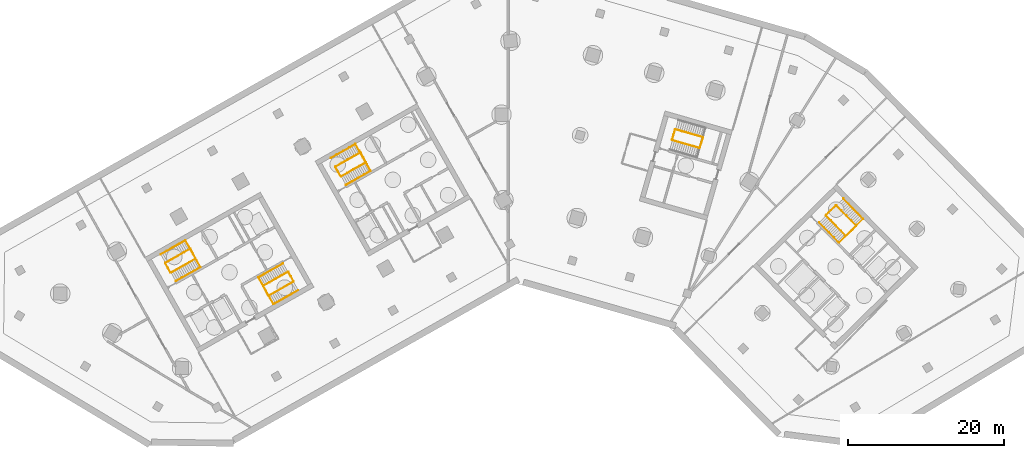
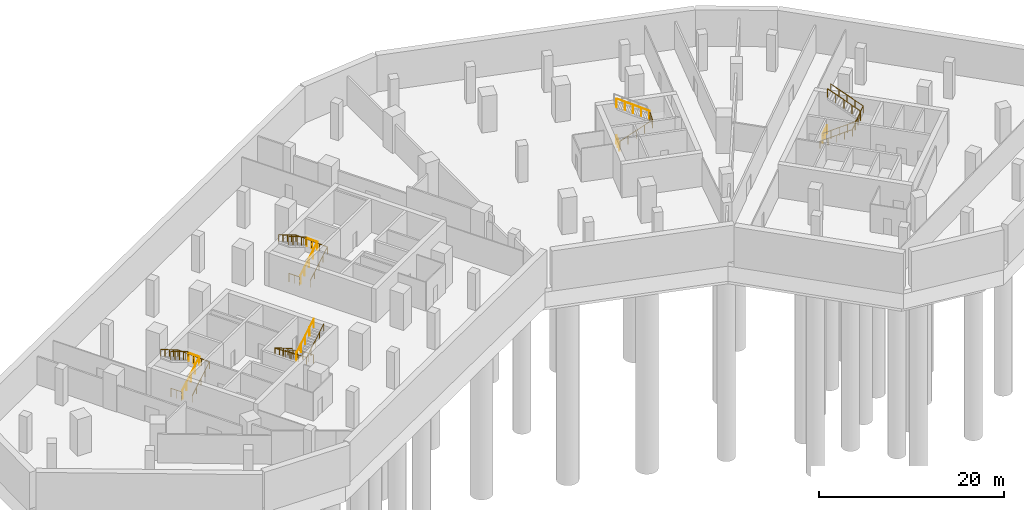
# One storey, part 9 of 11: 19 railings.
"""IFC4 building model written with IfcOpenShell, lengths in metres."""

from ifc_helpers import new_model, si_unit, direction, frame, origin, origin_2d, place, context, subcontext, project, spatial, circle, extrude, material, type_object, element, save


model = new_model("IFC4")

# Units and contexts
model_context = context("Model", 3, precision=1e-05, world=origin(), true_north=direction((0.0, 1.0)))
body_context = subcontext(model_context, "Body", "Model", "MODEL_VIEW")
ifc_project = project(units=[si_unit("LENGTHUNIT", "METRE"), si_unit("AREAUNIT", "SQUARE_METRE"), si_unit("VOLUMEUNIT", "CUBIC_METRE"), si_unit("PLANEANGLEUNIT", "RADIAN"), si_unit("MASSUNIT", "GRAM", prefix="KILO")], contexts=[model_context])

# Site, building, storey
site_placement = place(None, origin())
site = spatial("IfcSite", under=ifc_project, at=site_placement, CompositionType="ELEMENT")
building_placement = place(site_placement, origin())
building = spatial("IfcBuilding", under=site, at=building_placement, Name="Binnacle Exchange Tower", CompositionType="ELEMENT")
storey_placement = place(building_placement, frame((0.0, 0.0, -9.60009765625)))
storey = spatial("IfcBuildingStorey", under=building, at=storey_placement, Name="B2", CompositionType="ELEMENT", Elevation=-9.60009765625)

# Railings
ifc_material_1 = material(Name="Steel guard rail", Category="steel")
railing_type_1 = type_object("IfcRailingType", Name="STAIR GUARD 1100", PredefinedType="GUARDRAIL", material=ifc_material_1)
railing_1_placement = place(storey_placement, frame((-43.26171875, 39.71728515625, 0.171630859375)))
element("IfcRailing", 1, at=railing_1_placement, inside=storey, type_object=railing_type_1, Name="B2 STA1 stair guard 1", PredefinedType="GUARDRAIL", context=body_context, shape_type="SweptSolid", body=[
    extrude(circle(Radius=0.02392578125, at=origin_2d()), frame((0.0, 0.0, 1.076171875), z_axis=(0.742271515296, 0.419987474206, 0.522152773707), x_axis=(-0.492450612189, 0.870340390052, 0.0)), (0.0, 0.0, 1.0), 4.267822265625),
    extrude(circle(Radius=0.02392578125, at=origin_2d()), frame((3.16796875, 1.79248046875, 3.3046875), z_axis=(-0.460963092712, 0.887419307406, 0.0), x_axis=(-0.887419307406, -0.460963092712, 0.0)), (0.0, 0.0, 1.0), 1.40087890625),
    extrude(circle(Radius=0.02099609375, at=origin_2d()), origin(), (0.0, 0.0, 1.0), 1.052001953125),
    extrude(circle(Radius=0.02099609375, at=origin_2d()), frame((0.7919921875, 0.4482421875, 0.55712890625)), (0.0, 0.0, 1.0), 1.052001953125),
    extrude(circle(Radius=0.02099609375, at=origin_2d()), frame((1.583984375, 0.896240234375, 1.1142578125)), (0.0, 0.0, 1.0), 1.052001953125),
    extrude(circle(Radius=0.02099609375, at=origin_2d()), frame((2.3759765625, 1.34423828125, 1.67138671875)), (0.0, 0.0, 1.0), 1.052001953125),
    extrude(circle(Radius=0.02099609375, at=origin_2d()), frame((3.16796875, 1.79248046875, 2.228515625)), (0.0, 0.0, 1.0), 1.052001953125),
    extrude(circle(Radius=0.02099609375, at=origin_2d()), frame((2.84521484375, 2.4140625, 2.228515625)), (0.0, 0.0, 1.0), 1.052001953125),
    extrude(circle(Radius=0.02099609375, at=origin_2d()), frame((2.522216796875, 3.03564453125, 2.228515625)), (0.0, 0.0, 1.0), 1.052001953125),
])
railing_2_placement = place(storey_placement, frame((-40.8076171875, 42.771728515625, 2.571533203125)))
element("IfcRailing", 2, at=railing_2_placement, inside=storey, type_object=railing_type_1, Name="B2 STA1 stair guard 2", PredefinedType="GUARDRAIL", context=body_context, shape_type="SweptSolid", body=[
    extrude(circle(Radius=0.02392578125, at=origin_2d()), frame((0.0, 0.0, 1.076171875), z_axis=(-0.742297199881, -0.419969641791, 0.522130603415), x_axis=(0.492421866095, -0.870356654361, 0.0)), (0.0, 0.0, 1.0), 4.26806640625),
    extrude(circle(Radius=0.02099609375, at=origin_2d()), origin(), (0.0, 0.0, 1.0), 1.052001953125),
    extrude(circle(Radius=0.02099609375, at=origin_2d()), frame((-0.7919921875, -0.4482421875, 0.55712890625)), (0.0, 0.0, 1.0), 1.052001953125),
    extrude(circle(Radius=0.02099609375, at=origin_2d()), frame((-1.583984375, -0.896240234375, 1.1142578125)), (0.0, 0.0, 1.0), 1.052001953125),
    extrude(circle(Radius=0.02099609375, at=origin_2d()), frame((-2.376220703125, -1.34423828125, 1.67138671875)), (0.0, 0.0, 1.0), 1.052001953125),
    extrude(circle(Radius=0.02099609375, at=origin_2d()), frame((-3.168212890625, -1.79248046875, 2.228515625)), (0.0, 0.0, 1.0), 1.052001953125),
])
railing_3_placement = place(storey_placement, frame((-43.329833984375, 39.736328125, 0.0)))
element("IfcRailing", 3, at=railing_3_placement, inside=storey, type_object=railing_type_1, Name="B2 STA1 stair guard 3", PredefinedType="GUARDRAIL", context=body_context, shape_type="SweptSolid", body=[
    extrude(circle(Radius=0.02392578125, at=origin_2d()), frame((0.0, 0.0, 1.076171875), z_axis=(-0.4924922531, 0.870316827734, 0.0), x_axis=(-0.870316827734, -0.4924922531, 0.0)), (0.0, 0.0, 1.0), 1.349853515625),
    extrude(circle(Radius=0.02099609375, at=origin_2d()), origin(), (0.0, 0.0, 1.0), 1.052001953125),
    extrude(circle(Radius=0.02099609375, at=origin_2d()), frame((-0.33251953125, 0.58740234375, 0.0)), (0.0, 0.0, 1.0), 1.052001953125),
    extrude(circle(Radius=0.02099609375, at=origin_2d()), frame((-0.664794921875, 1.1748046875, 0.0)), (0.0, 0.0, 1.0), 1.052001953125),
])
railing_4_placement = place(storey_placement, frame((-28.265380859375, 39.814453125, 0.171630859375)))
element("IfcRailing", 4, at=railing_4_placement, inside=storey, type_object=railing_type_1, Name="B2 STA2 stair guard 1", PredefinedType="GUARDRAIL", context=body_context, shape_type="SweptSolid", body=[
    extrude(circle(Radius=0.02392578125, at=origin_2d()), frame((0.0, 0.0, 1.076171875), z_axis=(-0.742297199881, -0.419969641791, 0.522130603415), x_axis=(0.492421866095, -0.870356654361, 0.0)), (0.0, 0.0, 1.0), 4.26806640625),
    extrude(circle(Radius=0.02392578125, at=origin_2d()), frame((-3.168212890625, -1.79248046875, 3.3046875), z_axis=(0.461100321709, -0.887348011391, 0.0), x_axis=(0.887348011391, 0.461100321709, 0.0)), (0.0, 0.0, 1.0), 1.40087890625),
    extrude(circle(Radius=0.02099609375, at=origin_2d()), origin(), (0.0, 0.0, 1.0), 1.052001953125),
    extrude(circle(Radius=0.02099609375, at=origin_2d()), frame((-0.7919921875, -0.4482421875, 0.55712890625)), (0.0, 0.0, 1.0), 1.052001953125),
    extrude(circle(Radius=0.02099609375, at=origin_2d()), frame((-1.583984375, -0.896240234375, 1.1142578125)), (0.0, 0.0, 1.0), 1.052001953125),
    extrude(circle(Radius=0.02099609375, at=origin_2d()), frame((-2.376220703125, -1.34423828125, 1.67138671875)), (0.0, 0.0, 1.0), 1.052001953125),
    extrude(circle(Radius=0.02099609375, at=origin_2d()), frame((-3.168212890625, -1.79248046875, 2.228515625)), (0.0, 0.0, 1.0), 1.052001953125),
    extrude(circle(Radius=0.02099609375, at=origin_2d()), frame((-2.84521484375, -2.4140625, 2.228515625)), (0.0, 0.0, 1.0), 1.052001953125),
    extrude(circle(Radius=0.02099609375, at=origin_2d()), frame((-2.522216796875, -3.03564453125, 2.228515625)), (0.0, 0.0, 1.0), 1.052001953125),
])
railing_5_placement = place(storey_placement, frame((-30.719482421875, 36.760009765625, 2.571533203125)))
element("IfcRailing", 5, at=railing_5_placement, inside=storey, type_object=railing_type_1, Name="B2 STA2 stair guard 2", PredefinedType="GUARDRAIL", context=body_context, shape_type="SweptSolid", body=[
    extrude(circle(Radius=0.02392578125, at=origin_2d()), frame((0.0, 0.0, 1.076171875), z_axis=(0.742271515296, 0.419987474206, 0.522152773707), x_axis=(-0.492450612189, 0.870340390052, 0.0)), (0.0, 0.0, 1.0), 4.267822265625),
    extrude(circle(Radius=0.02099609375, at=origin_2d()), origin(), (0.0, 0.0, 1.0), 1.052001953125),
    extrude(circle(Radius=0.02099609375, at=origin_2d()), frame((0.7919921875, 0.4482421875, 0.55712890625)), (0.0, 0.0, 1.0), 1.052001953125),
    extrude(circle(Radius=0.02099609375, at=origin_2d()), frame((1.583984375, 0.896240234375, 1.1142578125)), (0.0, 0.0, 1.0), 1.052001953125),
    extrude(circle(Radius=0.02099609375, at=origin_2d()), frame((2.3759765625, 1.34423828125, 1.67138671875)), (0.0, 0.0, 1.0), 1.052001953125),
    extrude(circle(Radius=0.02099609375, at=origin_2d()), frame((3.16796875, 1.79248046875, 2.228515625)), (0.0, 0.0, 1.0), 1.052001953125),
])
railing_6_placement = place(storey_placement, frame((-28.197265625, 39.795654296875, 0.0)))
element("IfcRailing", 6, at=railing_6_placement, inside=storey, type_object=railing_type_1, Name="B2 STA2 stair guard 3", PredefinedType="GUARDRAIL", context=body_context, shape_type="SweptSolid", body=[
    extrude(circle(Radius=0.02392578125, at=origin_2d()), frame((0.0, 0.0, 1.076171875), z_axis=(0.49241474071, -0.870360685654, 0.0), x_axis=(0.870360685654, 0.49241474071, 0.0)), (0.0, 0.0, 1.0), 1.35009765625),
    extrude(circle(Radius=0.02099609375, at=origin_2d()), origin(), (0.0, 0.0, 1.0), 1.052001953125),
    extrude(circle(Radius=0.02099609375, at=origin_2d()), frame((0.33251953125, -0.58740234375, 0.0)), (0.0, 0.0, 1.0), 1.052001953125),
    extrude(circle(Radius=0.02099609375, at=origin_2d()), frame((0.664794921875, -1.175048828125, 0.0)), (0.0, 0.0, 1.0), 1.052001953125),
])
railing_7_placement = place(storey_placement, frame((40.822509765625, 47.046875, 0.171630859375)))
element("IfcRailing", 7, at=railing_7_placement, inside=storey, type_object=railing_type_1, Name="B2 STB1 stair guard 1", PredefinedType="GUARDRAIL", context=body_context, shape_type="SweptSolid", body=[
    extrude(circle(Radius=0.02392578125, at=origin_2d()), frame((0.0, 0.0, 1.076171875), z_axis=(0.597772836652, -0.608298214828, 0.52215028258), x_axis=(0.713250539553, 0.700909172309, 0.0)), (0.0, 0.0, 1.0), 4.26806640625),
    extrude(circle(Radius=0.02392578125, at=origin_2d()), frame((2.55126953125, -2.59619140625, 3.3046875), z_axis=(0.732527851538, 0.680737061369, 0.0), x_axis=(-0.680737061369, 0.732527851538, 0.0)), (0.0, 0.0, 1.0), 1.80078125),
    extrude(circle(Radius=0.02099609375, at=origin_2d()), origin(), (0.0, 0.0, 1.0), 1.052001953125),
    extrude(circle(Radius=0.02099609375, at=origin_2d()), frame((0.6376953125, -0.64892578125, 0.55712890625)), (0.0, 0.0, 1.0), 1.052001953125),
    extrude(circle(Radius=0.02099609375, at=origin_2d()), frame((1.275634765625, -1.298095703125, 1.1142578125)), (0.0, 0.0, 1.0), 1.052001953125),
    extrude(circle(Radius=0.02099609375, at=origin_2d()), frame((1.91357421875, -1.947265625, 1.67138671875)), (0.0, 0.0, 1.0), 1.052001953125),
    extrude(circle(Radius=0.02099609375, at=origin_2d()), frame((2.55126953125, -2.59619140625, 2.228515625)), (0.0, 0.0, 1.0), 1.052001953125),
    extrude(circle(Radius=0.02099609375, at=origin_2d()), frame((3.2109375, -1.9833984375, 2.228515625)), (0.0, 0.0, 1.0), 1.052001953125),
    extrude(circle(Radius=0.02099609375, at=origin_2d()), frame((3.870361328125, -1.370361328125, 2.228515625)), (0.0, 0.0, 1.0), 1.052001953125),
])
railing_8_placement = place(storey_placement, frame((44.693359375, 45.747314453125, 2.571533203125)))
element("IfcRailing", 8, at=railing_8_placement, inside=storey, type_object=railing_type_1, Name="B2 STB1 stair guard 2", PredefinedType="GUARDRAIL", context=body_context, shape_type="SweptSolid", body=[
    extrude(circle(Radius=0.02392578125, at=origin_2d()), frame((0.0, 0.0, 1.076171875), z_axis=(-0.597772836652, 0.608298214828, 0.52215028258), x_axis=(-0.713250539553, -0.700909172309, 0.0)), (0.0, 0.0, 1.0), 4.26806640625),
    extrude(circle(Radius=0.02099609375, at=origin_2d()), origin(), (0.0, 0.0, 1.0), 1.052001953125),
    extrude(circle(Radius=0.02099609375, at=origin_2d()), frame((-0.6376953125, 0.64892578125, 0.55712890625)), (0.0, 0.0, 1.0), 1.052001953125),
    extrude(circle(Radius=0.02099609375, at=origin_2d()), frame((-1.275634765625, 1.298095703125, 1.1142578125)), (0.0, 0.0, 1.0), 1.052001953125),
    extrude(circle(Radius=0.02099609375, at=origin_2d()), frame((-1.91357421875, 1.947265625, 1.67138671875)), (0.0, 0.0, 1.0), 1.052001953125),
    extrude(circle(Radius=0.02099609375, at=origin_2d()), frame((-2.55126953125, 2.59619140625, 2.228515625)), (0.0, 0.0, 1.0), 1.052001953125),
])
railing_9_placement = place(storey_placement, frame((40.8232421875, 47.117431640625, 0.0)))
element("IfcRailing", 9, at=railing_9_placement, inside=storey, type_object=railing_type_1, Name="B2 STB1 stair guard 3", PredefinedType="GUARDRAIL", context=body_context, shape_type="SweptSolid", body=[
    extrude(circle(Radius=0.02392578125, at=origin_2d()), frame((0.0, 0.0, 1.076171875), z_axis=(0.713218950569, 0.700941316052, 0.0), x_axis=(-0.700941316052, 0.713218950569, 0.0)), (0.0, 0.0, 1.0), 1.75),
    extrude(circle(Radius=0.02099609375, at=origin_2d()), origin(), (0.0, 0.0, 1.0), 1.052001953125),
    extrude(circle(Radius=0.02099609375, at=origin_2d()), frame((0.6240234375, 0.61328125, 0.0)), (0.0, 0.0, 1.0), 1.052001953125),
    extrude(circle(Radius=0.02099609375, at=origin_2d()), frame((1.248046875, 1.2265625, 0.0)), (0.0, 0.0, 1.0), 1.052001953125),
])
railing_10_placement = place(storey_placement, frame((-21.423828125, 52.07275390625, 0.171630859375)))
element("IfcRailing", 10, at=railing_10_placement, inside=storey, type_object=railing_type_1, Name="B2 STC1 stair guard 1", PredefinedType="GUARDRAIL", context=body_context, shape_type="SweptSolid", body=[
    extrude(circle(Radius=0.02392578125, at=origin_2d()), frame((0.0, 0.0, 1.076171875), z_axis=(0.742315031276, 0.419922527903, 0.522143145988), x_axis=(-0.492371057291, 0.870385398511, 0.0)), (0.0, 0.0, 1.0), 4.26806640625),
    extrude(circle(Radius=0.02392578125, at=origin_2d()), frame((3.168212890625, 1.792236328125, 3.3046875), z_axis=(-0.461100321709, 0.887348011391, 0.0), x_axis=(-0.887348011391, -0.461100321709, 0.0)), (0.0, 0.0, 1.0), 1.40087890625),
    extrude(circle(Radius=0.02099609375, at=origin_2d()), origin(), (0.0, 0.0, 1.0), 1.052001953125),
    extrude(circle(Radius=0.02099609375, at=origin_2d()), frame((0.7919921875, 0.447998046875, 0.55712890625)), (0.0, 0.0, 1.0), 1.052001953125),
    extrude(circle(Radius=0.02099609375, at=origin_2d()), frame((1.583984375, 0.89599609375, 1.1142578125)), (0.0, 0.0, 1.0), 1.052001953125),
    extrude(circle(Radius=0.02099609375, at=origin_2d()), frame((2.376220703125, 1.34423828125, 1.67138671875)), (0.0, 0.0, 1.0), 1.052001953125),
    extrude(circle(Radius=0.02099609375, at=origin_2d()), frame((3.168212890625, 1.792236328125, 2.228515625)), (0.0, 0.0, 1.0), 1.052001953125),
    extrude(circle(Radius=0.02099609375, at=origin_2d()), frame((2.84521484375, 2.413818359375, 2.228515625)), (0.0, 0.0, 1.0), 1.052001953125),
    extrude(circle(Radius=0.02099609375, at=origin_2d()), frame((2.522216796875, 3.035400390625, 2.228515625)), (0.0, 0.0, 1.0), 1.052001953125),
])
railing_11_placement = place(storey_placement, frame((-18.9697265625, 55.126953125, 2.571533203125)))
element("IfcRailing", 11, at=railing_11_placement, inside=storey, type_object=railing_type_1, Name="B2 STC1 stair guard 2", PredefinedType="GUARDRAIL", context=body_context, shape_type="SweptSolid", body=[
    extrude(circle(Radius=0.02392578125, at=origin_2d()), frame((0.0, 0.0, 1.076171875), z_axis=(-0.742289347588, -0.419940359174, 0.522165317878), x_axis=(0.492399802317, -0.870369137021, 0.0)), (0.0, 0.0, 1.0), 4.267822265625),
    extrude(circle(Radius=0.02099609375, at=origin_2d()), origin(), (0.0, 0.0, 1.0), 1.052001953125),
    extrude(circle(Radius=0.02099609375, at=origin_2d()), frame((-0.7919921875, -0.447998046875, 0.55712890625)), (0.0, 0.0, 1.0), 1.052001953125),
    extrude(circle(Radius=0.02099609375, at=origin_2d()), frame((-1.583984375, -0.89599609375, 1.1142578125)), (0.0, 0.0, 1.0), 1.052001953125),
    extrude(circle(Radius=0.02099609375, at=origin_2d()), frame((-2.3759765625, -1.34423828125, 1.67138671875)), (0.0, 0.0, 1.0), 1.052001953125),
    extrude(circle(Radius=0.02099609375, at=origin_2d()), frame((-3.16796875, -1.792236328125, 2.228515625)), (0.0, 0.0, 1.0), 1.052001953125),
])
railing_12_placement = place(storey_placement, frame((-21.491943359375, 52.091552734375, 0.0)))
element("IfcRailing", 12, at=railing_12_placement, inside=storey, type_object=railing_type_1, Name="B2 STC1 stair guard 3", PredefinedType="GUARDRAIL", context=body_context, shape_type="SweptSolid", body=[
    extrude(circle(Radius=0.02392578125, at=origin_2d()), frame((0.0, 0.0, 1.076171875), z_axis=(-0.49241474071, 0.870360685654, 0.0), x_axis=(-0.870360685654, -0.49241474071, 0.0)), (0.0, 0.0, 1.0), 1.35009765625),
    extrude(circle(Radius=0.02099609375, at=origin_2d()), origin(), (0.0, 0.0, 1.0), 1.052001953125),
    extrude(circle(Radius=0.02099609375, at=origin_2d()), frame((-0.33251953125, 0.58740234375, 0.0)), (0.0, 0.0, 1.0), 1.052001953125),
    extrude(circle(Radius=0.02099609375, at=origin_2d()), frame((-0.664794921875, 1.175048828125, 0.0)), (0.0, 0.0, 1.0), 1.052001953125),
])
railing_13_placement = place(storey_placement, frame((21.086669921875, 56.71044921875, 0.171630859375)))
element("IfcRailing", 13, at=railing_13_placement, inside=storey, type_object=railing_type_1, Name="B2 STD1 stair guard 1", PredefinedType="GUARDRAIL", context=body_context, shape_type="SweptSolid", body=[
    extrude(circle(Radius=0.02392578125, at=origin_2d()), frame((0.0, 0.0, 1.076171875), z_axis=(0.819816833951, -0.235099580487, 0.52213843569), x_axis=(0.275659984683, 0.961255206927, 0.0)), (0.0, 0.0, 1.0), 4.26806640625),
    extrude(circle(Radius=0.02392578125, at=origin_2d()), frame((3.4990234375, -1.00341796875, 3.3046875), z_axis=(0.309684985722, 0.950839213337, 0.0), x_axis=(-0.950839213337, 0.309684985722, 0.0)), (0.0, 0.0, 1.0), 1.40087890625),
    extrude(circle(Radius=0.02099609375, at=origin_2d()), origin(), (0.0, 0.0, 1.0), 1.052001953125),
    extrude(circle(Radius=0.02099609375, at=origin_2d()), frame((0.874755859375, -0.2509765625, 0.55712890625)), (0.0, 0.0, 1.0), 1.052001953125),
    extrude(circle(Radius=0.02099609375, at=origin_2d()), frame((1.74951171875, -0.501708984375, 1.1142578125)), (0.0, 0.0, 1.0), 1.052001953125),
    extrude(circle(Radius=0.02099609375, at=origin_2d()), frame((2.624267578125, -0.75244140625, 1.67138671875)), (0.0, 0.0, 1.0), 1.052001953125),
    extrude(circle(Radius=0.02099609375, at=origin_2d()), frame((3.4990234375, -1.00341796875, 2.228515625)), (0.0, 0.0, 1.0), 1.052001953125),
    extrude(circle(Radius=0.02099609375, at=origin_2d()), frame((3.7158203125, -0.33740234375, 2.228515625)), (0.0, 0.0, 1.0), 1.052001953125),
    extrude(circle(Radius=0.02099609375, at=origin_2d()), frame((3.932861328125, 0.32861328125, 2.228515625)), (0.0, 0.0, 1.0), 1.052001953125),
])
railing_14_placement = place(storey_placement, frame((24.9853515625, 57.100830078125, 2.571533203125)))
element("IfcRailing", 14, at=railing_14_placement, inside=storey, type_object=railing_type_1, Name="B2 STD1 stair guard 2", PredefinedType="GUARDRAIL", context=body_context, shape_type="SweptSolid", body=[
    extrude(circle(Radius=0.02392578125, at=origin_2d()), frame((0.0, 0.0, 1.076171875), z_axis=(-0.819816833951, 0.235099580487, 0.52213843569), x_axis=(-0.275659984683, -0.961255206927, 0.0)), (0.0, 0.0, 1.0), 4.26806640625),
    extrude(circle(Radius=0.02099609375, at=origin_2d()), origin(), (0.0, 0.0, 1.0), 1.052001953125),
    extrude(circle(Radius=0.02099609375, at=origin_2d()), frame((-0.874755859375, 0.2509765625, 0.55712890625)), (0.0, 0.0, 1.0), 1.052001953125),
    extrude(circle(Radius=0.02099609375, at=origin_2d()), frame((-1.74951171875, 0.501708984375, 1.1142578125)), (0.0, 0.0, 1.0), 1.052001953125),
    extrude(circle(Radius=0.02099609375, at=origin_2d()), frame((-2.624267578125, 0.75244140625, 1.67138671875)), (0.0, 0.0, 1.0), 1.052001953125),
    extrude(circle(Radius=0.02099609375, at=origin_2d()), frame((-3.4990234375, 1.00341796875, 2.228515625)), (0.0, 0.0, 1.0), 1.052001953125),
])
railing_15_placement = place(storey_placement, frame((21.05224609375, 56.772216796875, 0.0)))
element("IfcRailing", 15, at=railing_15_placement, inside=storey, type_object=railing_type_1, Name="B2 STD1 stair guard 3", PredefinedType="GUARDRAIL", context=body_context, shape_type="SweptSolid", body=[
    extrude(circle(Radius=0.02392578125, at=origin_2d()), frame((0.0, 0.0, 1.076171875), z_axis=(0.275795817769, 0.961216243569, 0.0), x_axis=(-0.961216243569, 0.275795817769, 0.0)), (0.0, 0.0, 1.0), 1.349853515625),
    extrude(circle(Radius=0.02099609375, at=origin_2d()), origin(), (0.0, 0.0, 1.0), 1.052001953125),
    extrude(circle(Radius=0.02099609375, at=origin_2d()), frame((0.18603515625, 0.64892578125, 0.0)), (0.0, 0.0, 1.0), 1.052001953125),
    extrude(circle(Radius=0.02099609375, at=origin_2d()), frame((0.372314453125, 1.297607421875, 0.0)), (0.0, 0.0, 1.0), 1.052001953125),
])
ifc_material_2 = material(Name="Steel handrail", Category="steel")
railing_type_2 = type_object("IfcRailingType", Name="STAIR HANDRAIL 900", PredefinedType="HANDRAIL", material=ifc_material_2)
railing_16_placement = place(storey_placement, frame((-42.646240234375, 38.62939453125, 0.171630859375)))
element("IfcRailing", 16, at=railing_16_placement, inside=storey, type_object=railing_type_2, Name="B2 STA1 stair handrail 1", PredefinedType="HANDRAIL", context=body_context, shape_type="SweptSolid", body=[
    extrude(circle(Radius=0.02392578125, at=origin_2d()), frame((0.0, 0.0, 0.8759765625), z_axis=(0.742297199881, 0.419969641791, 0.522130603415), x_axis=(-0.492421866095, 0.870356654361, 0.0)), (0.0, 0.0, 1.0), 4.26806640625),
    extrude(circle(Radius=0.02392578125, at=origin_2d()), frame((3.168212890625, 1.79248046875, 3.1044921875), z_axis=(-0.492023999439, 0.869501749008, 0.043348499951), x_axis=(-0.870319839224, -0.492486931251, 0.0)), (0.0, 0.0, 1.0), 3.95361328125),
    extrude(circle(Radius=0.02392578125, at=origin_2d()), frame((1.222900390625, 5.230224609375, 3.27587890625), z_axis=(-0.742289347588, -0.419940359174, 0.522165317878), x_axis=(0.492399802317, -0.870369137021, 0.0)), (0.0, 0.0, 1.0), 4.267822265625),
    extrude(circle(Radius=0.02099609375, at=origin_2d()), origin(), (0.0, 0.0, 1.0), 0.851806640625),
    extrude(circle(Radius=0.02099609375, at=origin_2d()), frame((0.7919921875, 0.4482421875, 0.55712890625)), (0.0, 0.0, 1.0), 0.851806640625),
    extrude(circle(Radius=0.02099609375, at=origin_2d()), frame((1.583984375, 0.896240234375, 1.1142578125)), (0.0, 0.0, 1.0), 0.851806640625),
    extrude(circle(Radius=0.02099609375, at=origin_2d()), frame((2.376220703125, 1.34423828125, 1.67138671875)), (0.0, 0.0, 1.0), 0.851806640625),
    extrude(circle(Radius=0.02099609375, at=origin_2d()), frame((3.168212890625, 1.79248046875, 2.228515625)), (0.0, 0.0, 1.0), 0.851806640625),
    extrude(circle(Radius=0.02099609375, at=origin_2d()), frame((2.681884765625, 2.65185546875, 2.271484375)), (0.0, 0.0, 1.0), 0.851806640625),
    extrude(circle(Radius=0.02099609375, at=origin_2d()), frame((2.195556640625, 3.51123046875, 2.314208984375)), (0.0, 0.0, 1.0), 0.851806640625),
    extrude(circle(Radius=0.02099609375, at=origin_2d()), frame((1.709228515625, 4.370849609375, 2.35693359375)), (0.0, 0.0, 1.0), 0.851806640625),
    extrude(circle(Radius=0.02099609375, at=origin_2d()), frame((1.222900390625, 5.230224609375, 2.39990234375)), (0.0, 0.0, 1.0), 0.851806640625),
    extrude(circle(Radius=0.02099609375, at=origin_2d()), frame((0.430908203125, 4.7822265625, 2.95703125)), (0.0, 0.0, 1.0), 0.851806640625),
    extrude(circle(Radius=0.02099609375, at=origin_2d()), frame((-0.361083984375, 4.333984375, 3.51416015625)), (0.0, 0.0, 1.0), 0.851806640625),
    extrude(circle(Radius=0.02099609375, at=origin_2d()), frame((-1.153076171875, 3.885986328125, 4.0712890625)), (0.0, 0.0, 1.0), 0.851806640625),
    extrude(circle(Radius=0.02099609375, at=origin_2d()), frame((-1.945068359375, 3.43798828125, 4.62841796875)), (0.0, 0.0, 1.0), 0.851806640625),
])
railing_17_placement = place(storey_placement, frame((-28.880859375, 40.90234375, 0.171630859375)))
element("IfcRailing", 17, at=railing_17_placement, inside=storey, type_object=railing_type_2, Name="B2 STA2 stair handrail 1", PredefinedType="HANDRAIL", context=body_context, shape_type="SweptSolid", body=[
    extrude(circle(Radius=0.02392578125, at=origin_2d()), frame((0.0, 0.0, 0.8759765625), z_axis=(-0.742315031276, -0.419922527903, 0.522143145988), x_axis=(0.492371057291, -0.870385398511, 0.0)), (0.0, 0.0, 1.0), 4.26806640625),
    extrude(circle(Radius=0.02392578125, at=origin_2d()), frame((-3.168212890625, -1.792236328125, 3.1044921875), z_axis=(0.491950780692, -0.869543227527, 0.0433474894), x_axis=(0.870361318571, 0.492413622004, 0.0)), (0.0, 0.0, 1.0), 3.953857421875),
    extrude(circle(Radius=0.02392578125, at=origin_2d()), frame((-1.22314453125, -5.230224609375, 3.27587890625), z_axis=(0.742297199881, 0.419969641791, 0.522130603415), x_axis=(-0.492421866095, 0.870356654361, 0.0)), (0.0, 0.0, 1.0), 4.26806640625),
    extrude(circle(Radius=0.02099609375, at=origin_2d()), origin(), (0.0, 0.0, 1.0), 0.851806640625),
    extrude(circle(Radius=0.02099609375, at=origin_2d()), frame((-0.7919921875, -0.447998046875, 0.55712890625)), (0.0, 0.0, 1.0), 0.851806640625),
    extrude(circle(Radius=0.02099609375, at=origin_2d()), frame((-1.583984375, -0.89599609375, 1.1142578125)), (0.0, 0.0, 1.0), 0.851806640625),
    extrude(circle(Radius=0.02099609375, at=origin_2d()), frame((-2.376220703125, -1.34423828125, 1.67138671875)), (0.0, 0.0, 1.0), 0.851806640625),
    extrude(circle(Radius=0.02099609375, at=origin_2d()), frame((-3.168212890625, -1.792236328125, 2.228515625)), (0.0, 0.0, 1.0), 0.851806640625),
    extrude(circle(Radius=0.02099609375, at=origin_2d()), frame((-2.681884765625, -2.65185546875, 2.271484375)), (0.0, 0.0, 1.0), 0.851806640625),
    extrude(circle(Radius=0.02099609375, at=origin_2d()), frame((-2.19580078125, -3.51123046875, 2.314208984375)), (0.0, 0.0, 1.0), 0.851806640625),
    extrude(circle(Radius=0.02099609375, at=origin_2d()), frame((-1.70947265625, -4.37060546875, 2.35693359375)), (0.0, 0.0, 1.0), 0.851806640625),
    extrude(circle(Radius=0.02099609375, at=origin_2d()), frame((-1.22314453125, -5.230224609375, 2.39990234375)), (0.0, 0.0, 1.0), 0.851806640625),
    extrude(circle(Radius=0.02099609375, at=origin_2d()), frame((-0.43115234375, -4.7822265625, 2.95703125)), (0.0, 0.0, 1.0), 0.851806640625),
    extrude(circle(Radius=0.02099609375, at=origin_2d()), frame((0.36083984375, -4.333984375, 3.51416015625)), (0.0, 0.0, 1.0), 0.851806640625),
    extrude(circle(Radius=0.02099609375, at=origin_2d()), frame((1.153076171875, -3.8857421875, 4.0712890625)), (0.0, 0.0, 1.0), 0.851806640625),
    extrude(circle(Radius=0.02099609375, at=origin_2d()), frame((1.945068359375, -3.437744140625, 4.62841796875)), (0.0, 0.0, 1.0), 0.851806640625),
])
railing_18_placement = place(storey_placement, frame((39.930908203125, 46.170654296875, 0.171630859375)))
element("IfcRailing", 18, at=railing_18_placement, inside=storey, type_object=railing_type_2, Name="B2 STB1 stair handrail 1", PredefinedType="HANDRAIL", context=body_context, shape_type="SweptSolid", body=[
    extrude(circle(Radius=0.02392578125, at=origin_2d()), frame((0.0, 0.0, 0.8759765625), z_axis=(0.597809597374, -0.608277414456, 0.522132427981), x_axis=(0.713217009097, 0.700943291525, 0.0)), (0.0, 0.0, 1.0), 4.26806640625),
    extrude(circle(Radius=0.02392578125, at=origin_2d()), frame((2.551513671875, -2.59619140625, 3.1044921875), z_axis=(0.712700737751, 0.70036251283, 0.039370154068), x_axis=(-0.700905928746, 0.713253726978, 0.0)), (0.0, 0.0, 1.0), 4.353271484375),
    extrude(circle(Radius=0.02392578125, at=origin_2d()), frame((5.654052734375, 0.45263671875, 3.27587890625), z_axis=(-0.597752036316, 0.608334249399, 0.522132113635), x_axis=(-0.713283488215, -0.700875641922, 0.0)), (0.0, 0.0, 1.0), 4.26806640625),
    extrude(circle(Radius=0.02099609375, at=origin_2d()), origin(), (0.0, 0.0, 1.0), 0.851806640625),
    extrude(circle(Radius=0.02099609375, at=origin_2d()), frame((0.637939453125, -0.64892578125, 0.55712890625)), (0.0, 0.0, 1.0), 0.851806640625),
    extrude(circle(Radius=0.02099609375, at=origin_2d()), frame((1.27587890625, -1.298095703125, 1.1142578125)), (0.0, 0.0, 1.0), 0.851806640625),
    extrude(circle(Radius=0.02099609375, at=origin_2d()), frame((1.91357421875, -1.947265625, 1.67138671875)), (0.0, 0.0, 1.0), 0.851806640625),
    extrude(circle(Radius=0.02099609375, at=origin_2d()), frame((2.551513671875, -2.59619140625, 2.228515625)), (0.0, 0.0, 1.0), 0.851806640625),
    extrude(circle(Radius=0.02099609375, at=origin_2d()), frame((3.3271484375, -1.833984375, 2.271484375)), (0.0, 0.0, 1.0), 0.851806640625),
    extrude(circle(Radius=0.02099609375, at=origin_2d()), frame((4.102783203125, -1.07177734375, 2.314208984375)), (0.0, 0.0, 1.0), 0.851806640625),
    extrude(circle(Radius=0.02099609375, at=origin_2d()), frame((4.87841796875, -0.3095703125, 2.35693359375)), (0.0, 0.0, 1.0), 0.851806640625),
    extrude(circle(Radius=0.02099609375, at=origin_2d()), frame((5.654052734375, 0.45263671875, 2.39990234375)), (0.0, 0.0, 1.0), 0.851806640625),
    extrude(circle(Radius=0.02099609375, at=origin_2d()), frame((5.01611328125, 1.101806640625, 2.95703125)), (0.0, 0.0, 1.0), 0.851806640625),
    extrude(circle(Radius=0.02099609375, at=origin_2d()), frame((4.37841796875, 1.7509765625, 3.51416015625)), (0.0, 0.0, 1.0), 0.851806640625),
    extrude(circle(Radius=0.02099609375, at=origin_2d()), frame((3.74072265625, 2.39990234375, 4.0712890625)), (0.0, 0.0, 1.0), 0.851806640625),
    extrude(circle(Radius=0.02099609375, at=origin_2d()), frame((3.102783203125, 3.049072265625, 4.62841796875)), (0.0, 0.0, 1.0), 0.851806640625),
])
railing_19_placement = place(storey_placement, frame((-20.808349609375, 50.984619140625, 0.171630859375)))
element("IfcRailing", 19, at=railing_19_placement, inside=storey, type_object=railing_type_2, Name="B2 STC1 stair handrail 1", PredefinedType="HANDRAIL", context=body_context, shape_type="SweptSolid", body=[
    extrude(circle(Radius=0.02392578125, at=origin_2d()), frame((0.0, 0.0, 0.8759765625), z_axis=(0.742297199881, 0.419969641791, 0.522130603415), x_axis=(-0.492421866095, 0.870356654361, 0.0)), (0.0, 0.0, 1.0), 4.26806640625),
    extrude(circle(Radius=0.02392578125, at=origin_2d()), frame((3.168212890625, 1.79248046875, 3.1044921875), z_axis=(-0.491950780692, 0.869543227527, 0.0433474894), x_axis=(-0.870361318571, -0.492413622004, 0.0)), (0.0, 0.0, 1.0), 3.953857421875),
    extrude(circle(Radius=0.02392578125, at=origin_2d()), frame((1.22314453125, 5.23046875, 3.27587890625), z_axis=(-0.742297199881, -0.419969641791, 0.522130603415), x_axis=(0.492421866095, -0.870356654361, 0.0)), (0.0, 0.0, 1.0), 4.26806640625),
    extrude(circle(Radius=0.02099609375, at=origin_2d()), origin(), (0.0, 0.0, 1.0), 0.851806640625),
    extrude(circle(Radius=0.02099609375, at=origin_2d()), frame((0.7919921875, 0.4482421875, 0.55712890625)), (0.0, 0.0, 1.0), 0.851806640625),
    extrude(circle(Radius=0.02099609375, at=origin_2d()), frame((1.583984375, 0.896240234375, 1.1142578125)), (0.0, 0.0, 1.0), 0.851806640625),
    extrude(circle(Radius=0.02099609375, at=origin_2d()), frame((2.376220703125, 1.34423828125, 1.67138671875)), (0.0, 0.0, 1.0), 0.851806640625),
    extrude(circle(Radius=0.02099609375, at=origin_2d()), frame((3.168212890625, 1.79248046875, 2.228515625)), (0.0, 0.0, 1.0), 0.851806640625),
    extrude(circle(Radius=0.02099609375, at=origin_2d()), frame((2.681884765625, 2.65185546875, 2.271484375)), (0.0, 0.0, 1.0), 0.851806640625),
    extrude(circle(Radius=0.02099609375, at=origin_2d()), frame((2.19580078125, 3.511474609375, 2.314208984375)), (0.0, 0.0, 1.0), 0.851806640625),
    extrude(circle(Radius=0.02099609375, at=origin_2d()), frame((1.70947265625, 4.37109375, 2.35693359375)), (0.0, 0.0, 1.0), 0.851806640625),
    extrude(circle(Radius=0.02099609375, at=origin_2d()), frame((1.22314453125, 5.23046875, 2.39990234375)), (0.0, 0.0, 1.0), 0.851806640625),
    extrude(circle(Radius=0.02099609375, at=origin_2d()), frame((0.43115234375, 4.7822265625, 2.95703125)), (0.0, 0.0, 1.0), 0.851806640625),
    extrude(circle(Radius=0.02099609375, at=origin_2d()), frame((-0.36083984375, 4.334228515625, 3.51416015625)), (0.0, 0.0, 1.0), 0.851806640625),
    extrude(circle(Radius=0.02099609375, at=origin_2d()), frame((-1.153076171875, 3.88623046875, 4.0712890625)), (0.0, 0.0, 1.0), 0.851806640625),
    extrude(circle(Radius=0.02099609375, at=origin_2d()), frame((-1.945068359375, 3.43798828125, 4.62841796875)), (0.0, 0.0, 1.0), 0.851806640625),
])

save(model, "model.ifc")
